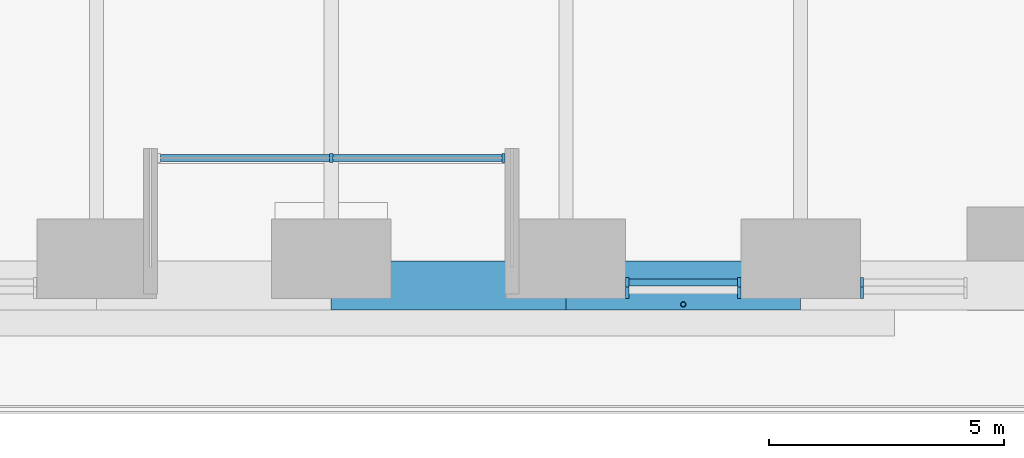
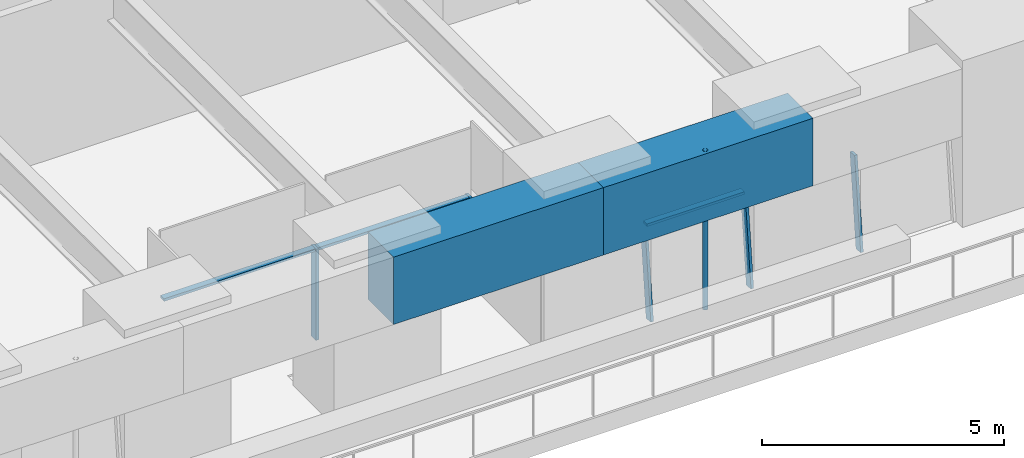
# One storey, part 4 of 24: 8 members, 2 beams, 3 elements without a shape of their own.
"""IFC4 building model written with IfcOpenShell, lengths in metres."""

from ifc_helpers import new_model, si_unit, direction, frame, origin, origin_2d, place, context, subcontext, project, spatial, rectangle, hollow_circle, extrude, material, material_profile, profile_set, type_object, element, aggregate, save


model = new_model("IFC4")

# Units and contexts
model_context = context("Model", 3, precision=1e-05, world=origin(), true_north=direction((0.0, 1.0)))
body_context = subcontext(model_context, "Body", "Model", "MODEL_VIEW")
ifc_project = project(units=[si_unit("LENGTHUNIT", "METRE"), si_unit("AREAUNIT", "SQUARE_METRE"), si_unit("VOLUMEUNIT", "CUBIC_METRE"), si_unit("PLANEANGLEUNIT", "RADIAN"), si_unit("MASSUNIT", "GRAM", prefix="KILO")], contexts=[model_context])

# Site, building, storey
site_placement = place(None, origin())
site = spatial("IfcSite", under=ifc_project, at=site_placement, CompositionType="ELEMENT")
building_placement = place(site_placement, origin())
building = spatial("IfcBuilding", under=site, at=building_placement, Name="Tarfa Lantern Tower", CompositionType="ELEMENT")
storey_placement = place(building_placement, frame((0.0, 0.0, 119.5)))
storey = spatial("IfcBuildingStorey", under=building, at=storey_placement, Name="L26", CompositionType="ELEMENT", Elevation=119.5)

# Curtain wall, members
ifc_material_1 = material(Name="Aluminium framed curtain wall", Category="aluminium")
curtain_wall_type_1 = type_object("IfcCurtainWallType", Name="CW2 CANTED GLAZING MID ZONE 2300", PredefinedType="USERDEFINED", material=ifc_material_1)
curtain_wall_1_placement = place(storey_placement, origin())
curtain_wall_1 = element("IfcCurtainWall", 1, at=curtain_wall_1_placement, inside=storey, type_object=curtain_wall_type_1, Name="CW2 SB L26", ObjectType="CURTAIN WALL", PredefinedType="USERDEFINED")
ifc_material_2 = material(Name="Aluminium mullion", Category="aluminium")
ifc_material_profile_1 = material_profile(ifc_material_2, rectangle(XDim=0.06494140625, YDim=0.199951171875, at=origin_2d()), Name="AL MULLION 65x200")
ifc_profile_set_1 = profile_set([ifc_material_profile_1], Name="Aluminium mullion")
member_type_1 = type_object("IfcMemberType", Name="CWM1 MULLION 65x200", PredefinedType="MULLION", material=ifc_profile_set_1)
member_1_placement = place(storey_placement, frame((6.311279296875, -31.39990234375, 0.0), z_axis=(0.0, 0.108056913548, 0.994144709504), x_axis=(-1.0, 0.0, 0.0)))
member_1 = element("IfcMember", 2, at=member_1_placement, type_object=member_type_1, Name="CW2 mullion 1", PredefinedType="MULLION", context=body_context, shape_type="SweptSolid", body=[
    extrude(rectangle(XDim=0.06494140625, YDim=0.199951171875, at=origin_2d()), origin(), (0.0, 0.0, 1.0), 2.3134765625),
])
member_2_placement = place(storey_placement, frame((8.699951171875, -31.39990234375, 0.0), z_axis=(0.0, 0.108056913548, 0.994144709504), x_axis=(-1.0, 0.0, 0.0)))
member_2 = element("IfcMember", 3, at=member_2_placement, type_object=member_type_1, Name="CW2 mullion 2", PredefinedType="MULLION", context=body_context, shape_type="SweptSolid", body=[
    extrude(rectangle(XDim=0.06494140625, YDim=0.199951171875, at=origin_2d()), origin(), (0.0, 0.0, 1.0), 2.3134765625),
])

# Curtain wall, member
curtain_wall_2_placement = place(storey_placement, origin())
curtain_wall_2 = element("IfcCurtainWall", 4, at=curtain_wall_2_placement, inside=storey, type_object=curtain_wall_type_1, Name="CW2 SB L26", ObjectType="CURTAIN WALL", PredefinedType="USERDEFINED")
member_3_placement = place(storey_placement, frame((11.31494140625, -31.39990234375, 0.0), z_axis=(0.0, 0.108056913548, 0.994144709504), x_axis=(-1.0, 0.0, 0.0)))
member_3 = element("IfcMember", 5, at=member_3_placement, type_object=member_type_1, Name="CW2 mullion 1", PredefinedType="MULLION", context=body_context, shape_type="SweptSolid", body=[
    extrude(rectangle(XDim=0.06494140625, YDim=0.199951171875, at=origin_2d()), origin(), (0.0, 0.0, 1.0), 2.3134765625),
])
aggregate(curtain_wall_2, [member_3])

# Curtain wall, members
curtain_wall_type_2 = type_object("IfcCurtainWallType", Name="CW10 LOGGIA GLAZING 2300", PredefinedType="USERDEFINED", material=ifc_material_1)
curtain_wall_3_placement = place(storey_placement, origin())
curtain_wall_3 = element("IfcCurtainWall", 6, at=curtain_wall_3_placement, inside=storey, type_object=curtain_wall_type_2, Name="CW10 SL L26", ObjectType="CURTAIN WALL", PredefinedType="USERDEFINED")
member_4_placement = place(storey_placement, frame((0.0, -28.5, 0.0), z_axis=(0.0, 0.0, 1.0), x_axis=(1.0, 0.0, 0.0)))
member_4 = element("IfcMember", 7, at=member_4_placement, type_object=member_type_1, Name="CW10 mullion 2", PredefinedType="MULLION", context=body_context, shape_type="SweptSolid", body=[
    extrude(rectangle(XDim=0.06494140625, YDim=0.199951171875, at=origin_2d()), origin(), (0.0, 0.0, 1.0), 2.300048828125),
])
member_5_placement = place(storey_placement, frame((3.671142578125, -28.5, 0.0), z_axis=(0.0, 0.0, 1.0), x_axis=(1.0, 0.0, 0.0)))
member_5 = element("IfcMember", 8, at=member_5_placement, type_object=member_type_1, Name="CW10 mullion 3", PredefinedType="MULLION", context=body_context, shape_type="SweptSolid", body=[
    extrude(rectangle(XDim=0.06494140625, YDim=0.199951171875, at=origin_2d()), origin(), (0.0, 0.0, 1.0), 2.300048828125),
])

# Member
ifc_material_3 = material(Name="Aluminium transom", Category="aluminium")
ifc_material_profile_2 = material_profile(ifc_material_3, rectangle(XDim=0.14990234375, YDim=0.06494140625, at=origin_2d()), Name="AL TRANSOM 150x65")
ifc_profile_set_2 = profile_set([ifc_material_profile_2], Name="Aluminium transom")
member_type_2 = type_object("IfcMemberType", Name="CWT1 TRANSOM 150x65", PredefinedType="USERDEFINED", material=ifc_profile_set_2)
member_6_placement = place(storey_placement, frame((6.34375, -31.153564453125, 2.267578125), z_axis=(1.0, 0.0, 0.0), x_axis=(0.0, 1.0, 0.0)))
member_6 = element("IfcMember", 9, at=member_6_placement, type_object=member_type_2, Name="CW2 transom 1.2", ObjectType="TRANSOM", PredefinedType="USERDEFINED", context=body_context, shape_type="SweptSolid", body=[
    extrude(rectangle(XDim=0.14990234375, YDim=0.06494140625, at=origin_2d()), origin(), (0.0, 0.0, 1.0), 2.32373046875),
])

aggregate(curtain_wall_1, [member_1, member_2, member_6])

member_7_placement = place(storey_placement, frame((-3.638671875, -28.5, 2.267578125), z_axis=(1.0, 0.0, 0.0), x_axis=(0.0, 1.0, 0.0)))
member_7 = element("IfcMember", 10, at=member_7_placement, type_object=member_type_2, Name="CW10 transom 1.2", ObjectType="TRANSOM", PredefinedType="USERDEFINED", context=body_context, shape_type="SweptSolid", body=[
    extrude(rectangle(XDim=0.14990234375, YDim=0.06494140625, at=origin_2d()), origin(), (0.0, 0.0, 1.0), 7.27734375),
])

aggregate(curtain_wall_3, [member_4, member_5, member_7])

# Beams
ifc_material_4 = material(Name="Concrete C80/95", Category="concrete")
ifc_material_profile_3 = material_profile(ifc_material_4, rectangle(XDim=1.050048828125, YDim=1.699951171875, at=origin_2d()), Name="RC 1050x1700")
ifc_profile_set_3 = profile_set([ifc_material_profile_3], Name="Concrete C80/95")
beam_type = type_object("IfcBeamType", Name="RB2 RC 1050x1700", PredefinedType="BEAM", material=ifc_profile_set_3)
for number, where, z_axis, x_axis, name in (
    (11, (0.0, -31.219970703125, 3.14990234375), (1.0, 0.0, 0.0), (0.0, 1.0, 0.0), "Edge beam S3"),
    (12, (5.003662109375, -31.219970703125, 3.14990234375), (1.0, 0.0, 0.0), (0.0, 1.0, 0.0), "Edge beam S4"),
):
    element("IfcBeam", number, at=place(storey_placement, frame(where, z_axis=z_axis, x_axis=x_axis)), inside=storey, type_object=beam_type, Name=name, PredefinedType="BEAM", context=body_context, shape_type="SweptSolid", body=[
        extrude(rectangle(XDim=1.050048828125, YDim=1.699951171875, at=origin_2d()), origin(), (0.0, 0.0, 1.0), 5.003662109375),
    ])

# Member
ifc_material_5 = material(Name="Steel S355", Category="steel")
ifc_material_profile_4 = material_profile(ifc_material_5, hollow_circle(Radius=0.05712890625, WallThickness=0.00634765625, at=origin_2d()), Name="CHS114.3x6.3")
ifc_profile_set_4 = profile_set([ifc_material_profile_4], Name="Steel S355")
member_type_3 = type_object("IfcMemberType", Name="TR1 GREEN WALL TRELLIS CHS114.3x6.3", PredefinedType="USERDEFINED", material=ifc_profile_set_4)
member_8_placement = place(storey_placement, frame((7.505615234375, -31.6201171875, 0.0), z_axis=(0.0, 0.0, 1.0), x_axis=(1.0, 0.0, 0.0)))
element("IfcMember", 13, at=member_8_placement, inside=storey, type_object=member_type_3, Name="Trellis post S 2", ObjectType="TRELLIS", PredefinedType="USERDEFINED", context=body_context, shape_type="SweptSolid", body=[
    extrude(hollow_circle(Radius=0.05712890625, WallThickness=0.00634765625, at=origin_2d()), origin(), (0.0, 0.0, 1.0), 4.0),
])

save(model, "model.ifc")
